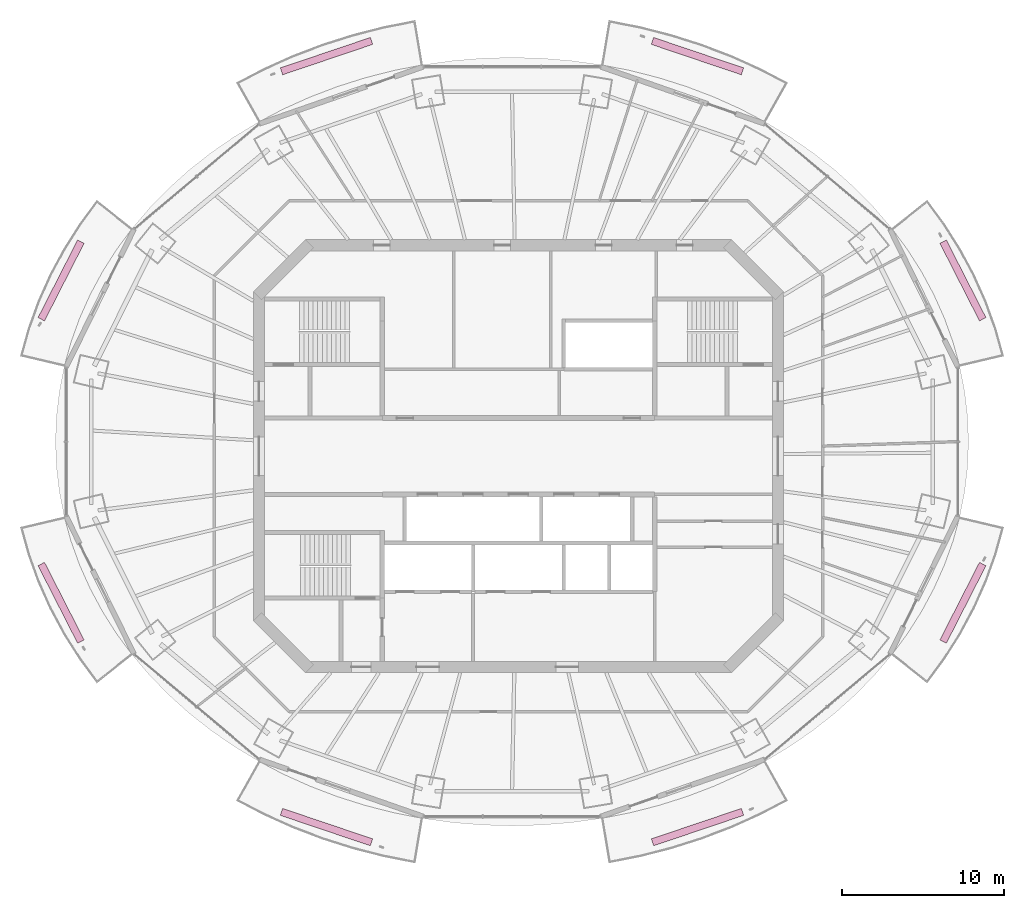
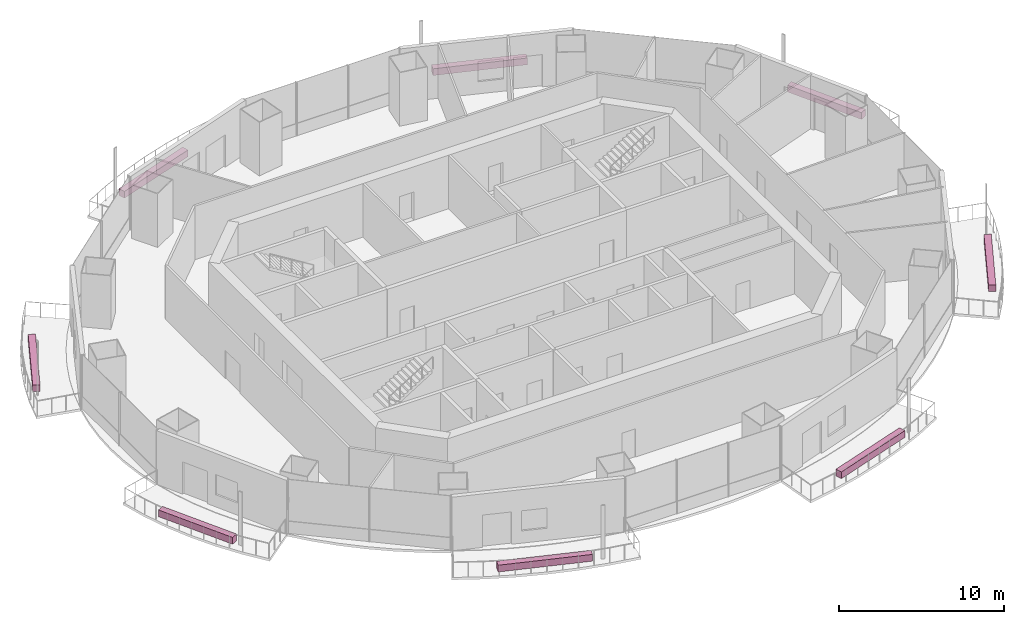
# One storey, part 16 of 16: 8 furnishings.
"""IFC4 building model written with IfcOpenShell, lengths in metres."""

from ifc_helpers import new_model, si_unit, direction, frame, origin, origin_2d, place, context, subcontext, project, spatial, rectangle, extrude, material, type_object, element, save


model = new_model("IFC4")

# Units and contexts
model_context = context("Model", 3, precision=1e-05, world=origin(), true_north=direction((0.0, 1.0)))
body_context = subcontext(model_context, "Body", "Model", "MODEL_VIEW")
ifc_project = project(units=[si_unit("LENGTHUNIT", "METRE"), si_unit("AREAUNIT", "SQUARE_METRE"), si_unit("VOLUMEUNIT", "CUBIC_METRE"), si_unit("PLANEANGLEUNIT", "RADIAN"), si_unit("MASSUNIT", "GRAM", prefix="KILO")], contexts=[model_context])

# Site, building, storey
site_placement = place(None, origin())
site = spatial("IfcSite", under=ifc_project, at=site_placement, CompositionType="ELEMENT")
building_placement = place(site_placement, origin())
building = spatial("IfcBuilding", under=site, at=building_placement, Name="Marenthal Gate Tower", CompositionType="ELEMENT")
storey_placement = place(building_placement, frame((0.0, 0.0, 309.39990234375)))
storey = spatial("IfcBuildingStorey", under=building, at=storey_placement, Name="L69", CompositionType="ELEMENT", Elevation=309.39990234375)

# Furnishings
ifc_material = material(Name="Planting soil and foliage", Category="planting")
furnishing_element_type = type_object("IfcFurnishingElementType", Name="Balcony PLANTER trough", material=ifc_material)
furnishing_1_placement = place(storey_placement, frame((27.406005859375, 10.837158203125, -0.039794921875), z_axis=(0.0, 0.0, 1.0), x_axis=(-0.45438909453, 0.89080331767, 0.0)))
element("IfcFurnishingElement", 1, at=furnishing_1_placement, inside=storey, type_object=furnishing_element_type, Name="Balcony PLANTER L69 bay 1", ObjectType="PLANTER", context=body_context, shape_type="SweptSolid", body=[
    extrude(rectangle(XDim=5.369140625, YDim=0.449951171875, at=origin_2d()), origin(), (0.0, 0.0, 1.0), 0.5),
])
for number, where, z_axis, x_axis, name in (
    (2, (11.038330078125, 24.669921875, -0.039794921875), (0.0, 0.0, 1.0), (-0.947462689864, 0.319866302252, 0.0), "Balcony PLANTER L69 bay 3"),
    (3, (-11.838134765625, 24.669921875, -0.039794921875), (0.0, 0.0, 1.0), (-0.947462689864, -0.319866302252, 0.0), "Balcony PLANTER L69 bay 5"),
):
    element("IfcFurnishingElement", number, at=place(storey_placement, frame(where, z_axis=z_axis, x_axis=x_axis)), inside=storey, type_object=furnishing_element_type, Name=name, ObjectType="PLANTER", context=body_context, shape_type="SweptSolid", body=[
        extrude(rectangle(XDim=5.8564453125, YDim=0.449951171875, at=origin_2d()), origin(), (0.0, 0.0, 1.0), 0.5),
    ])
for number, where, z_axis, x_axis, name in (
    (4, (-28.2060546875, 10.837158203125, -0.039794921875), (0.0, 0.0, 1.0), (-0.45438909453, -0.89080331767, 0.0), "Balcony PLANTER L69 bay 7"),
    (5, (-28.2060546875, -9.037353515625, -0.039794921875), (0.0, 0.0, 1.0), (0.45438909453, -0.89080331767, 0.0), "Balcony PLANTER L69 bay 9"),
):
    element("IfcFurnishingElement", number, at=place(storey_placement, frame(where, z_axis=z_axis, x_axis=x_axis)), inside=storey, type_object=furnishing_element_type, Name=name, ObjectType="PLANTER", context=body_context, shape_type="SweptSolid", body=[
        extrude(rectangle(XDim=5.369140625, YDim=0.449951171875, at=origin_2d()), origin(), (0.0, 0.0, 1.0), 0.5),
    ])
for number, where, z_axis, x_axis, name in (
    (6, (-11.838134765625, -22.869873046875, -0.039794921875), (0.0, 0.0, 1.0), (0.947462689864, -0.319866302252, 0.0), "Balcony PLANTER L69 bay 11"),
    (7, (11.038330078125, -22.869873046875, -0.039794921875), (0.0, 0.0, 1.0), (0.947462689864, 0.319866302252, 0.0), "Balcony PLANTER L69 bay 13"),
):
    element("IfcFurnishingElement", number, at=place(storey_placement, frame(where, z_axis=z_axis, x_axis=x_axis)), inside=storey, type_object=furnishing_element_type, Name=name, ObjectType="PLANTER", context=body_context, shape_type="SweptSolid", body=[
        extrude(rectangle(XDim=5.8564453125, YDim=0.449951171875, at=origin_2d()), origin(), (0.0, 0.0, 1.0), 0.5),
    ])
furnishing_2_placement = place(storey_placement, frame((27.406005859375, -9.037353515625, -0.039794921875), z_axis=(0.0, 0.0, 1.0), x_axis=(0.45438909453, 0.89080331767, 0.0)))
element("IfcFurnishingElement", 8, at=furnishing_2_placement, inside=storey, type_object=furnishing_element_type, Name="Balcony PLANTER L69 bay 15", ObjectType="PLANTER", context=body_context, shape_type="SweptSolid", body=[
    extrude(rectangle(XDim=5.369140625, YDim=0.449951171875, at=origin_2d()), origin(), (0.0, 0.0, 1.0), 0.5),
])

save(model, "model.ifc")
